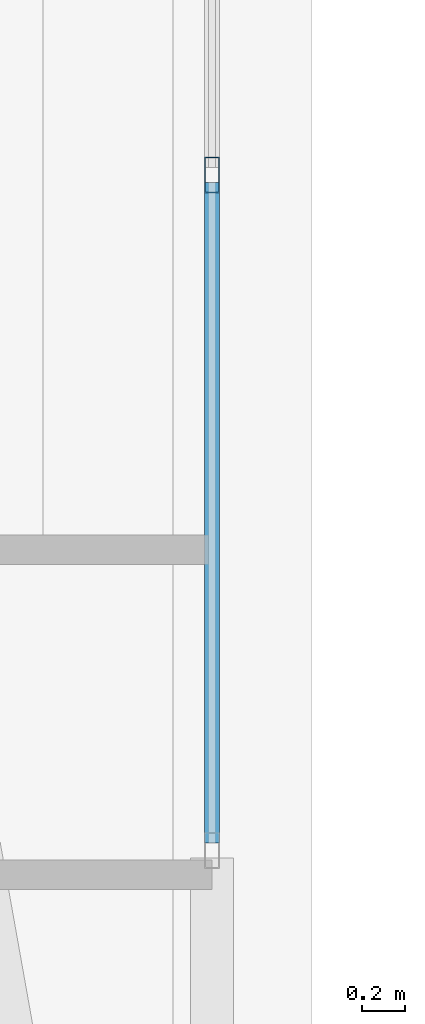
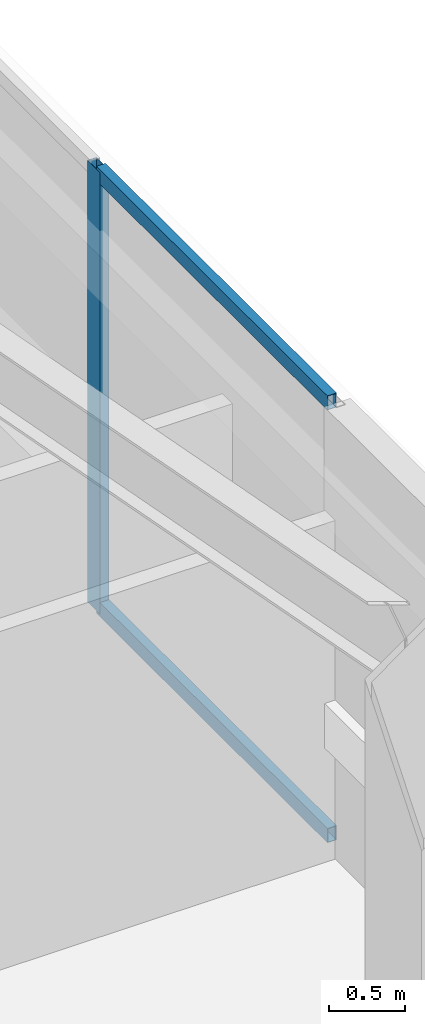
# One storey, part 14 of 44: 3 members, 1 element without a shape of its own.
"""IFC4 building model written with IfcOpenShell, lengths in metres."""

from ifc_helpers import new_model, si_unit, direction, frame, origin, origin_2d, place, context, subcontext, project, spatial, hollow_rectangle, extrude, material, material_profile, profile_set, type_object, element, aggregate, save


model = new_model("IFC4")

# Units and contexts
model_context = context("Model", 3, precision=1e-05, world=origin(), true_north=direction((0.0, 1.0)))
body_context = subcontext(model_context, "Body", "Model", "MODEL_VIEW")
ifc_project = project(units=[si_unit("LENGTHUNIT", "METRE"), si_unit("AREAUNIT", "SQUARE_METRE"), si_unit("VOLUMEUNIT", "CUBIC_METRE"), si_unit("PLANEANGLEUNIT", "RADIAN"), si_unit("MASSUNIT", "GRAM", prefix="KILO")], contexts=[model_context])

# Site, building, storey
site_placement = place(None, origin())
site = spatial("IfcSite", under=ifc_project, at=site_placement, CompositionType="ELEMENT")
building_placement = place(site_placement, origin())
building = spatial("IfcBuilding", under=site, at=building_placement, Name="Tashvorn Skyway Center", CompositionType="ELEMENT")
storey_placement = place(building_placement, frame((0.0, 0.0, 211.300048828125)))
storey = spatial("IfcBuildingStorey", under=building, at=storey_placement, Name="L57", CompositionType="ELEMENT", Elevation=211.300048828125)

# Curtain wall, members
ifc_material = material(Name="Thermally broken bronze-anodized aluminium 6063-T6", Category="aluminium")
curtain_wall_type = type_object("IfcCurtainWallType", Name="CW-CW-Z5", PredefinedType="NOTDEFINED", material=ifc_material)
curtain_wall_placement = place(storey_placement, origin())
curtain_wall = element("IfcCurtainWall", 1, at=curtain_wall_placement, inside=storey, type_object=curtain_wall_type, Name="Tower 1 L57 East Unitised Curtain Wall Glazing Group 1", PredefinedType="NOTDEFINED")
ifc_material_profile_1 = material_profile(ifc_material, hollow_rectangle(XDim=0.070068359375, YDim=0.1650390625, WallThickness=0.00390625, at=origin_2d()), Name="ALU-MULL-70x165")
ifc_profile_set_1 = profile_set([ifc_material_profile_1], Name="Thermally broken bronze-anodized aluminium 6063-T6")
member_type_1 = type_object("IfcMemberType", Name="CWM-CW-Z5", PredefinedType="MULLION", material=ifc_profile_set_1)
member_1_placement = place(storey_placement, frame((58.280029296875, 43.02880859375, 0.0), z_axis=(0.0, 0.0, 1.0), x_axis=(1.0, 0.0, 0.0)))
member_1 = element("IfcMember", 2, at=member_1_placement, type_object=member_type_1, Name="CW-Z5 mullion 2", PredefinedType="MULLION", context=body_context, shape_type="SweptSolid", body=[
    extrude(hollow_rectangle(XDim=0.070068359375, YDim=0.1650390625, WallThickness=0.00390625, at=origin_2d()), origin(), (0.0, 0.0, 1.0), 3.550048828125),
])
ifc_material_profile_2 = material_profile(ifc_material, hollow_rectangle(XDim=0.070068359375, YDim=0.114990234375, WallThickness=0.00390625, at=origin_2d()), Name="ALU-TRAN-70x115")
ifc_profile_set_2 = profile_set([ifc_material_profile_2], Name="Thermally broken bronze-anodized aluminium 6063-T6")
member_type_2 = type_object("IfcMemberType", Name="CWT-CW-Z5", PredefinedType="USERDEFINED", material=ifc_profile_set_2)
member_2_placement = place(storey_placement, frame((58.280029296875, 42.993896484375, 0.034912109375), z_axis=(0.0, -1.0, 0.0), x_axis=(1.0, 0.0, 0.0)))
member_2 = element("IfcMember", 3, at=member_2_placement, type_object=member_type_2, Name="CW-Z5 transom 2.1", ObjectType="TRANSOM", PredefinedType="USERDEFINED", context=body_context, shape_type="SweptSolid", body=[
    extrude(hollow_rectangle(XDim=0.070068359375, YDim=0.114990234375, WallThickness=0.00390625, at=origin_2d()), origin(), (0.0, 0.0, 1.0), 3.046142578125),
])
member_3_placement = place(storey_placement, frame((58.280029296875, 42.993896484375, 3.514892578125), z_axis=(0.0, -1.0, 0.0), x_axis=(1.0, 0.0, 0.0)))
member_3 = element("IfcMember", 4, at=member_3_placement, type_object=member_type_2, Name="CW-Z5 transom 2.2", ObjectType="TRANSOM", PredefinedType="USERDEFINED", context=body_context, shape_type="SweptSolid", body=[
    extrude(hollow_rectangle(XDim=0.070068359375, YDim=0.114990234375, WallThickness=0.00390625, at=origin_2d()), origin(), (0.0, 0.0, 1.0), 3.046142578125),
])
aggregate(curtain_wall, [member_1, member_2, member_3])

save(model, "model.ifc")
